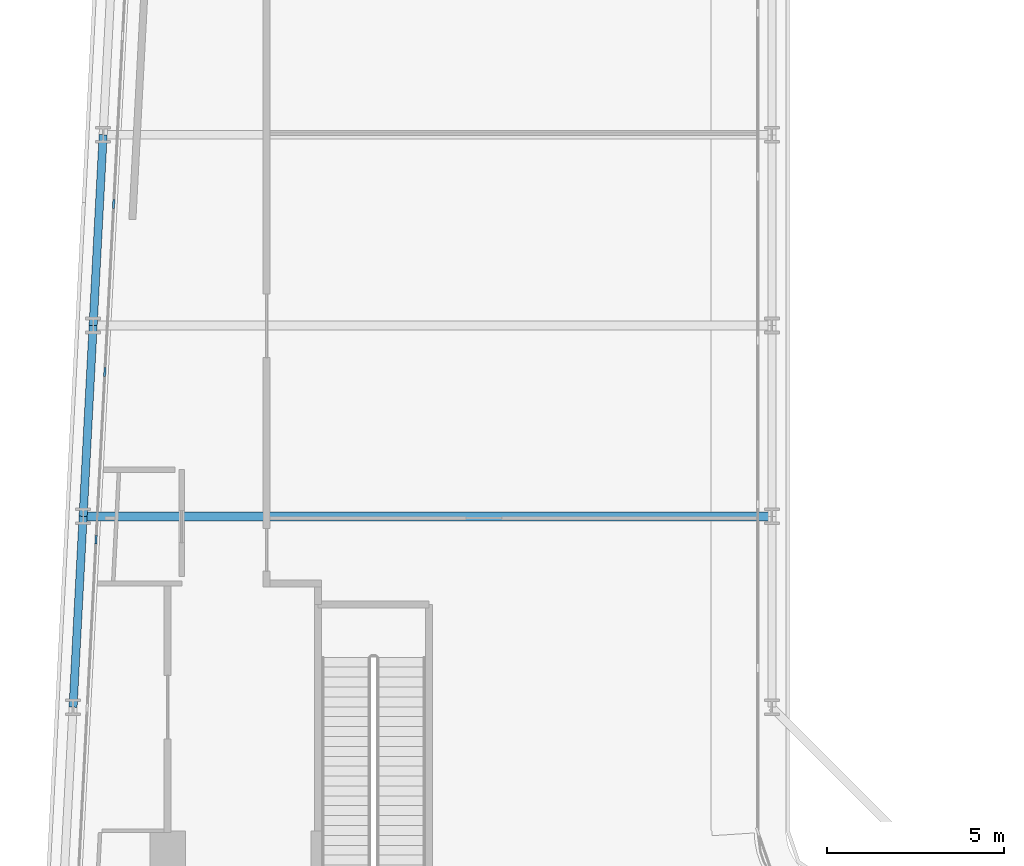
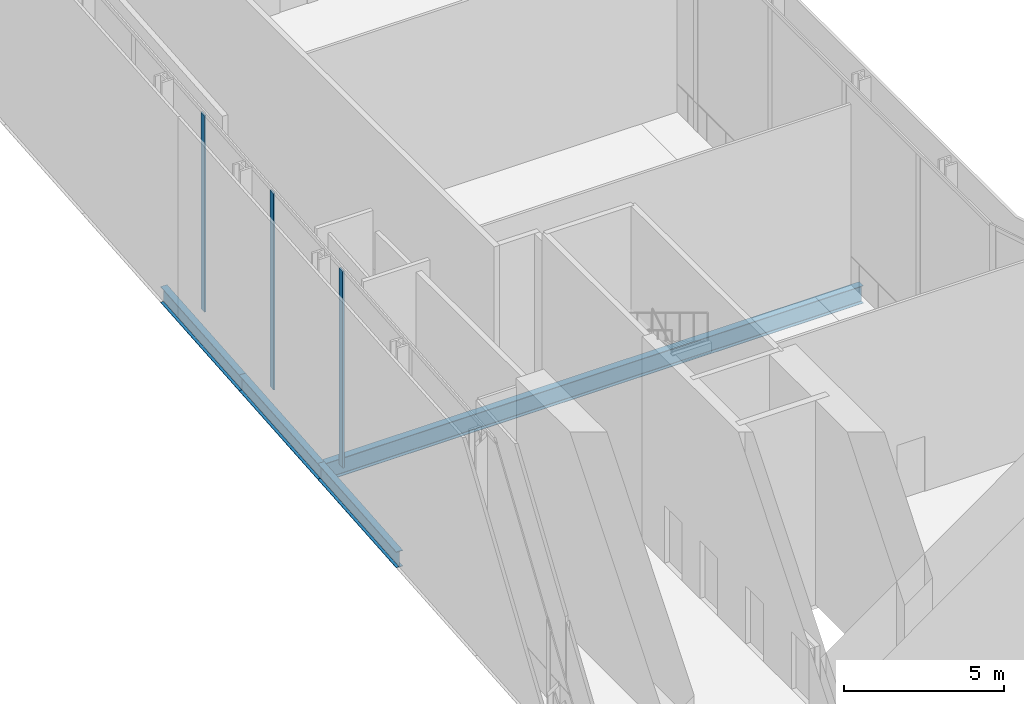
# One storey, part 10 of 36: 4 beams, 3 members, 1 element without a shape of its own.
"""IFC4 building model written with IfcOpenShell, lengths in metres."""

from ifc_helpers import new_model, si_unit, direction, frame, origin, origin_2d, place, context, subcontext, project, spatial, rectangle, i_section, extrude, material, layer, layer_set, material_profile, profile_set, type_object, element, aggregate, save


model = new_model("IFC4")

# Units and contexts
model_context = context("Model", 3, precision=1e-05, world=origin(), true_north=direction((0.0, 1.0)))
body_context = subcontext(model_context, "Body", "Model", "MODEL_VIEW")
ifc_project = project(units=[si_unit("LENGTHUNIT", "METRE"), si_unit("AREAUNIT", "SQUARE_METRE"), si_unit("VOLUMEUNIT", "CUBIC_METRE"), si_unit("PLANEANGLEUNIT", "RADIAN"), si_unit("MASSUNIT", "GRAM", prefix="KILO")], contexts=[model_context])

# Site, building, storey
site_placement = place(None, origin())
site = spatial("IfcSite", under=ifc_project, at=site_placement, CompositionType="ELEMENT")
building_placement = place(site_placement, origin())
building = spatial("IfcBuilding", under=site, at=building_placement, Name="Kheshtan School and Residences Tower", CompositionType="ELEMENT")
storey_placement = place(building_placement, frame((0.0, 0.0, 81.199951171875)))
storey = spatial("IfcBuildingStorey", under=building, at=storey_placement, Name="L19", CompositionType="ELEMENT", Elevation=81.199951171875)

# Beams
ifc_material_1 = material(Name="Steel ASTM A992 Grade 50", Category="steel")
ifc_material_profile_1 = material_profile(ifc_material_1, i_section(OverallWidth=0.2529296875, OverallDepth=0.677978515625, WebThickness=0.01171875, FlangeThickness=0.016357421875, FilletRadius=0.0146484375, at=origin_2d()), Name="W690x125")
ifc_profile_set_1 = profile_set([ifc_material_profile_1], Name="Steel ASTM A992 Grade 50")
beam_type_1 = type_object("IfcBeamType", Name="Beam FB6 W690x125 ASTM A992 Grade 50", PredefinedType="BEAM", material=ifc_profile_set_1)
beam_1_placement = place(storey_placement, frame((28.10595703125, 56.39990234375, -0.489013671875), z_axis=(1.0, 0.0, 0.0), x_axis=(0.0, 1.0, 0.0)))
element("IfcBeam", 1, at=beam_1_placement, inside=storey, type_object=beam_type_1, Name="Floor beam C080", PredefinedType="BEAM", context=body_context, shape_type="SweptSolid", body=[
    extrude(i_section(OverallWidth=0.2529296875, OverallDepth=0.677978515625, WebThickness=0.01171875, FlangeThickness=0.016357421875, FilletRadius=0.0146484375, at=origin_2d()), origin(), (0.0, 0.0, 1.0), 19.494140625),
])
ifc_material_profile_2 = material_profile(ifc_material_1, i_section(OverallWidth=0.22998046875, OverallDepth=0.616943359375, WebThickness=0.01318359375, FlangeThickness=0.022216796875, FilletRadius=0.0185546875, at=origin_2d()), Name="W610x140")
ifc_profile_set_2 = profile_set([ifc_material_profile_2], Name="Steel ASTM A992 Grade 50")
beam_type_2 = type_object("IfcBeamType", Name="Beam SP1 W610x140 ASTM A992 Grade 50", PredefinedType="BEAM", material=ifc_profile_set_2)
beam_2_placement = place(storey_placement, frame((27.822021484375, 51.0, -0.45849609375), z_axis=(0.05250906864, 0.998620447272, 0.0), x_axis=(-0.998620447272, 0.05250906864, 0.0)))
element("IfcBeam", 2, at=beam_2_placement, inside=storey, type_object=beam_type_2, Name="Spandrel beam C078-C080", PredefinedType="BEAM", context=body_context, shape_type="SweptSolid", body=[
    extrude(i_section(OverallWidth=0.22998046875, OverallDepth=0.616943359375, WebThickness=0.01318359375, FlangeThickness=0.022216796875, FilletRadius=0.0185546875, at=origin_2d()), origin(), (0.0, 0.0, 1.0), 5.407470703125),
])
beam_3_placement = place(storey_placement, frame((28.10595703125, 56.39990234375, -0.45849609375), z_axis=(0.05250670125, 0.998620571751, 0.0), x_axis=(-0.998620571751, 0.05250670125, 0.0)))
element("IfcBeam", 3, at=beam_3_placement, inside=storey, type_object=beam_type_2, Name="Spandrel beam C080-C082", PredefinedType="BEAM", context=body_context, shape_type="SweptSolid", body=[
    extrude(i_section(OverallWidth=0.22998046875, OverallDepth=0.616943359375, WebThickness=0.01318359375, FlangeThickness=0.022216796875, FilletRadius=0.0185546875, at=origin_2d()), origin(), (0.0, 0.0, 1.0), 5.40771484375),
])
beam_4_placement = place(storey_placement, frame((28.389892578125, 61.800048828125, -0.45849609375), z_axis=(0.052554093665, 0.998618078766, 0.0), x_axis=(-0.998618078766, 0.052554093665, 0.0)))
element("IfcBeam", 4, at=beam_4_placement, inside=storey, type_object=beam_type_2, Name="Spandrel beam C082-C084", PredefinedType="BEAM", context=body_context, shape_type="SweptSolid", body=[
    extrude(i_section(OverallWidth=0.22998046875, OverallDepth=0.616943359375, WebThickness=0.01318359375, FlangeThickness=0.022216796875, FilletRadius=0.0185546875, at=origin_2d()), origin(), (0.0, 0.0, 1.0), 5.407470703125),
])

# Curtain wall, members
ifc_material_2 = material(Name="Clear low-e glass in thermally broken aluminium frame", Category="aluminium")
ifc_layer = layer(ifc_material_2, 0.25)
ifc_layer_set = layer_set([ifc_layer], Name="Curtain wall CW-K")
curtain_wall_type = type_object("IfcCurtainWallType", Name="Curtain wall CW-K", PredefinedType="NOTDEFINED", material=ifc_layer_set)
curtain_wall_placement = place(storey_placement, origin())
curtain_wall = element("IfcCurtainWall", 5, at=curtain_wall_placement, inside=storey, type_object=curtain_wall_type, Name="Curtain wall CWK18", PredefinedType="NOTDEFINED")
ifc_material_3 = material(Name="Thermally broken aluminium, dark bronze anodised", Category="aluminium")
ifc_material_profile_3 = material_profile(ifc_material_3, rectangle(XDim=0.06005859375, YDim=0.25, at=origin_2d()), Name="CW-K mullion 60x250")
ifc_profile_set_3 = profile_set([ifc_material_profile_3], Name="Thermally broken aluminium, dark bronze anodised")
member_type = type_object("IfcMemberType", Name="CW-K mullion 60x250", PredefinedType="MULLION", material=ifc_profile_set_3)
member_1_placement = place(storey_placement, frame((28.470947265625, 55.737060546875, 0.0), z_axis=(0.0, 0.0, 1.0), x_axis=(-0.998617497599, 0.05256513568, 0.0)))
member_1 = element("IfcMember", 6, at=member_1_placement, type_object=member_type, Name="CWK18 mullion 6", PredefinedType="MULLION", context=body_context, shape_type="SweptSolid", body=[
    extrude(rectangle(XDim=0.06005859375, YDim=0.25, at=origin_2d()), origin(), (0.0, 0.0, 1.0), 7.489990234375),
])
member_2_placement = place(storey_placement, frame((28.720947265625, 60.489013671875, 0.0), z_axis=(0.0, 0.0, 1.0), x_axis=(-0.998617497599, 0.05256513568, 0.0)))
member_2 = element("IfcMember", 7, at=member_2_placement, type_object=member_type, Name="CWK18 mullion 7", PredefinedType="MULLION", context=body_context, shape_type="SweptSolid", body=[
    extrude(rectangle(XDim=0.06005859375, YDim=0.25, at=origin_2d()), origin(), (0.0, 0.0, 1.0), 7.489990234375),
])
member_3_placement = place(storey_placement, frame((28.97119140625, 65.2412109375, 0.0), z_axis=(0.0, 0.0, 1.0), x_axis=(-0.998617497599, 0.05256513568, 0.0)))
member_3 = element("IfcMember", 8, at=member_3_placement, type_object=member_type, Name="CWK18 mullion 8", PredefinedType="MULLION", context=body_context, shape_type="SweptSolid", body=[
    extrude(rectangle(XDim=0.06005859375, YDim=0.25, at=origin_2d()), origin(), (0.0, 0.0, 1.0), 7.489990234375),
])
aggregate(curtain_wall, [member_1, member_2, member_3])

save(model, "model.ifc")
